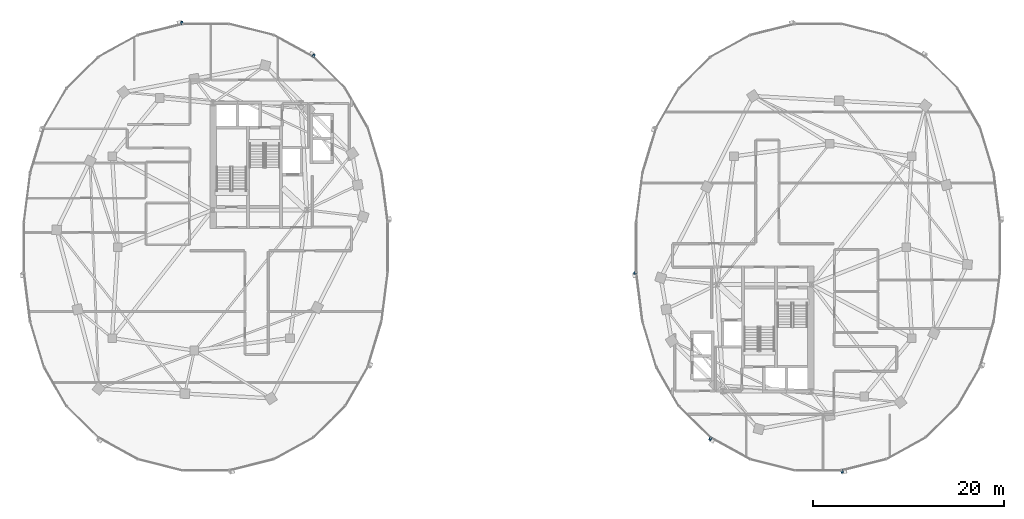
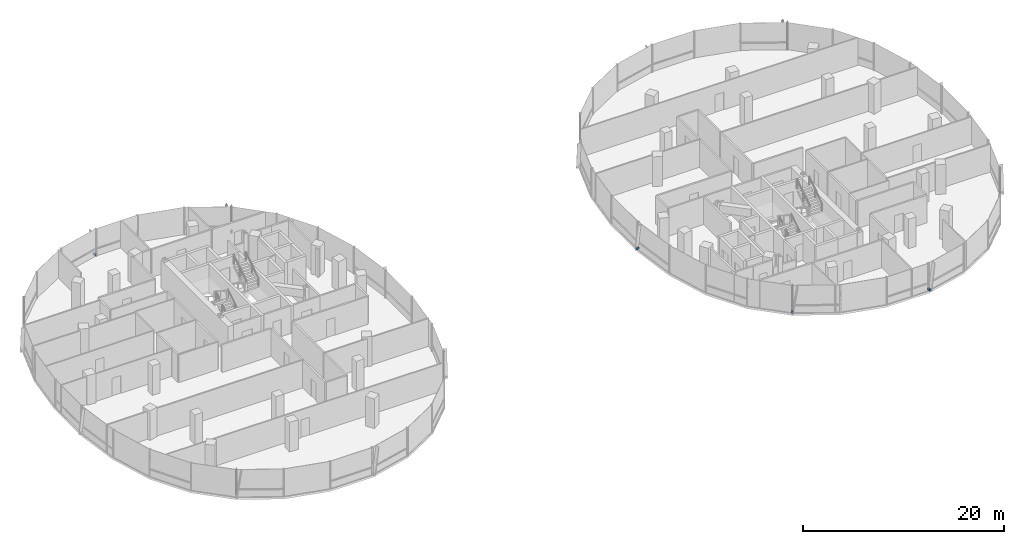
# One storey, part 17 of 23: 5 discrete accessories.
"""IFC4 building model written with IfcOpenShell, lengths in metres."""

from ifc_helpers import new_model, si_unit, direction, frame, origin, origin_2d, place, context, subcontext, project, spatial, rectangle, extrude, material, type_object, element, save


model = new_model("IFC4")

# Units and contexts
model_context = context("Model", 3, precision=1e-05, world=origin(), true_north=direction((0.0, 1.0)))
body_context = subcontext(model_context, "Body", "Model", "MODEL_VIEW")
ifc_project = project(units=[si_unit("LENGTHUNIT", "METRE"), si_unit("AREAUNIT", "SQUARE_METRE"), si_unit("VOLUMEUNIT", "CUBIC_METRE"), si_unit("PLANEANGLEUNIT", "RADIAN"), si_unit("MASSUNIT", "GRAM", prefix="KILO"), si_unit("THERMODYNAMICTEMPERATUREUNIT", "KELVIN"), si_unit("POWERUNIT", "WATT")], contexts=[model_context])

# Site, building, storey
site_placement = place(None, origin())
site = spatial("IfcSite", under=ifc_project, at=site_placement, CompositionType="ELEMENT")
building_placement = place(site_placement, origin())
building = spatial("IfcBuilding", under=site, at=building_placement, Name="Cundina Bronze Exchange", CompositionType="ELEMENT")
storey_placement = place(building_placement, frame((0.0, 0.0, 169.199951171875)))
storey = spatial("IfcBuildingStorey", under=building, at=storey_placement, Name="L44", CompositionType="ELEMENT", Elevation=169.199951171875)

# Discrete accessories
ifc_material = material(Name="Anodised Bronze Aluminium 6063-T6", Category="aluminium")
discrete_accessory_type = type_object("IfcDiscreteAccessoryType", Name="ACC-BRK-FIN", PredefinedType="BRACKET", material=ifc_material)
for number, where, z_axis, x_axis, name in (
    (1, (-20.733154296875, 20.015380859375, 0.10009765625), (0.0, 0.0, 1.0), (-0.875869093438, 0.482548786301, 0.0), "L44 Fin Support Bracket 5"),
    (2, (-34.492919921875, 23.44970703125, 0.10009765625), (0.0, 0.0, 1.0), (-0.970092713791, -0.242734683656, 0.0), "L44 Fin Support Bracket 1"),
    (3, (12.874267578125, -2.69189453125, 0.10009765625), (0.0, 0.0, 1.0), (0.126475984253, -0.9919696696, 0.0), "L44 Fin Support Bracket 1"),
    (4, (20.733154296875, -20.015380859375, 0.10009765625), (0.0, 0.0, 1.0), (0.875869093438, -0.482548786301, 0.0), "L44 Fin Support Bracket 5"),
    (5, (34.492919921875, -23.44970703125, 0.10009765625), (0.0, 0.0, 1.0), (0.970092713791, 0.242734683656, 0.0), "L44 Fin Support Bracket 1"),
):
    element("IfcDiscreteAccessory", number, at=place(storey_placement, frame(where, z_axis=z_axis, x_axis=x_axis)), inside=storey, type_object=discrete_accessory_type, Name=name, PredefinedType="BRACKET", context=body_context, shape_type="SweptSolid", body=[
        extrude(rectangle(XDim=0.219970703125, YDim=0.320068359375, at=origin_2d()), origin(), (0.0, 0.0, 1.0), 0.239990234375),
    ])

save(model, "model.ifc")
